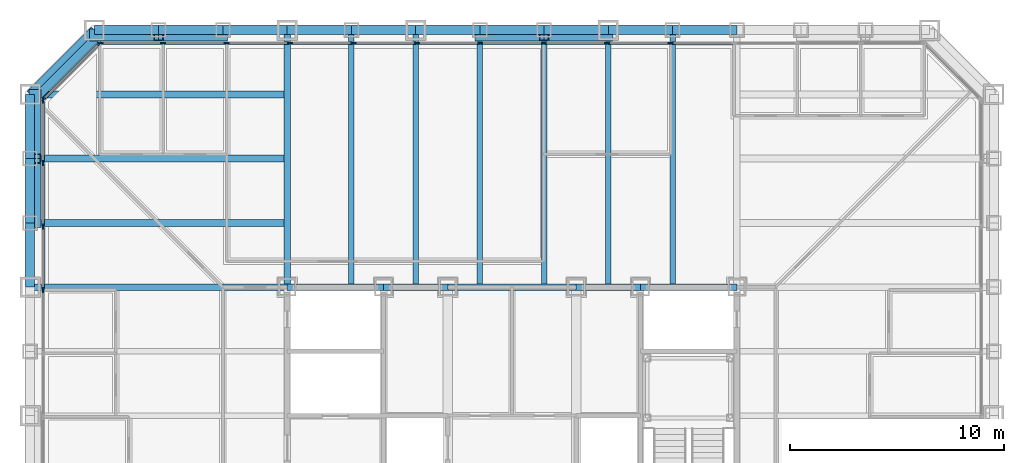
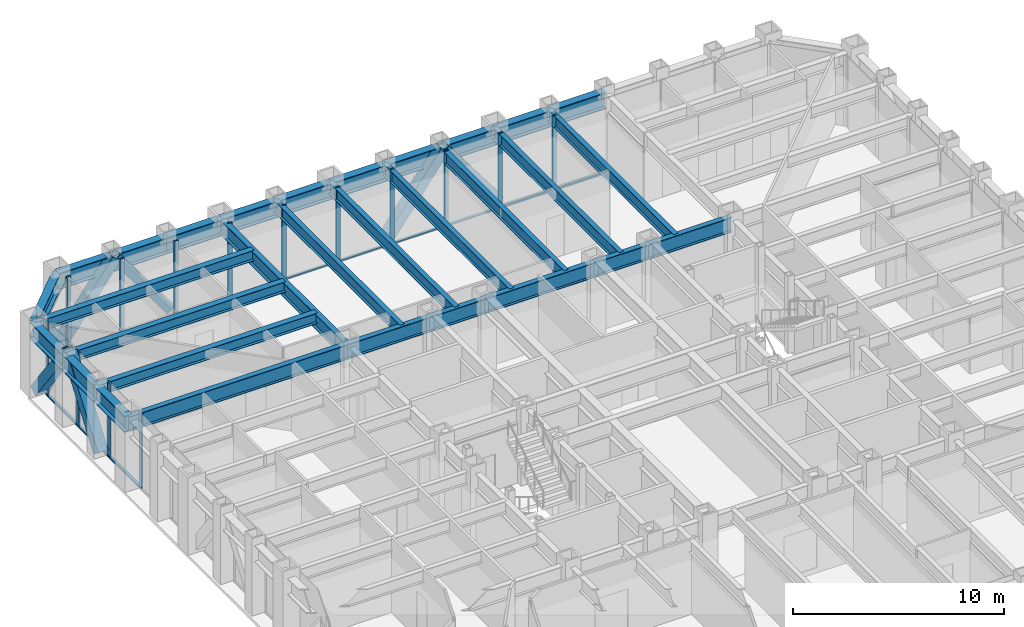
# One storey, part 5 of 17: 37 members, 30 beams, 3 elements without a shape of their own.
"""IFC4 building model written with IfcOpenShell, lengths in metres."""

import ifcopenshell
import ifcopenshell.guid

model = None  # the IFC model being written
_history = None  # IfcOwnerHistory: only IFC2X3 demands one
_inside = {}  # id of a spatial element -> (the spatial element, [elements in it])
_under = {}  # id of a project, library or spatial element -> (it, [spatial elements below it])
_declared = {}  # id of a project -> (the project, [libraries it declares])
_typed = {}  # id of a type object -> (the type object, [elements of that type])
_made_of = {}  # id of a material, layer set ... -> (it, [elements and type objects made of it])


def new_model(schema):
    """Start an empty IFC model of exactly this schema.

    Asked for "IFC4X3", IfcOpenShell would pick the latest addendum, in which some entities
    have other attributes; the version numbers below select the first issue.
    IFC2X3 requires an IfcOwnerHistory on every rooted entity: one is made here for all.
    """
    global model, _history
    if schema == "IFC4X3":
        model = ifcopenshell.file(schema_version=(4, 3, 0, 0))
    else:
        model = ifcopenshell.file(schema=schema)
    _inside.clear()
    _under.clear()
    _declared.clear()
    _typed.clear()
    _made_of.clear()
    _history = None
    if model.schema == "IFC2X3":
        org = make("IfcOrganization", Name="unknown")
        user = make(
            "IfcPersonAndOrganization",
            ThePerson=make("IfcPerson", FamilyName="unknown"),
            TheOrganization=org,
        )
        app = make(
            "IfcApplication",
            ApplicationDeveloper=org,
            Version="unknown",
            ApplicationFullName="unknown",
            ApplicationIdentifier="unknown",
        )
        _history = make(
            "IfcOwnerHistory",
            OwningUser=user,
            OwningApplication=app,
            ChangeAction="ADDED",
            CreationDate=0,
        )
    return model


def make(cls, **values):
    """One entity of the class cls with the attributes given. An attribute that is None is left unset."""
    return model.create_entity(
        cls, **{name: value for name, value in values.items() if value is not None}
    )


def rooted(cls, **values):
    """An entity with a GlobalId (a new one), such as an element, a storey or a relation."""
    return make(cls, GlobalId=ifcopenshell.guid.new(), OwnerHistory=_history, **values)


def si_unit(unit_type, name, prefix=None):
    """IfcSIUnit, for example si_unit("LENGTHUNIT", "METRE", prefix="MILLI")."""
    return make("IfcSIUnit", UnitType=unit_type, Prefix=prefix, Name=name)


def assignment(units):
    """IfcUnitAssignment: the units of a project."""
    return None if units is None else make("IfcUnitAssignment", Units=units)


def point(xyz):
    """IfcCartesianPoint."""
    return None if xyz is None else make("IfcCartesianPoint", Coordinates=xyz)


def direction(xyz):
    """IfcDirection."""
    return None if xyz is None else make("IfcDirection", DirectionRatios=xyz)


def frame(location, z_axis=None, x_axis=None):
    """IfcAxis2Placement3D, a coordinate frame: its origin and axes. An axis left out is left unset."""
    return make(
        "IfcAxis2Placement3D",
        Location=point(location),
        Axis=direction(z_axis),
        RefDirection=direction(x_axis),
    )


def frame_2d(location, x_axis=None):
    """IfcAxis2Placement2D, a coordinate frame in the plane: its origin and x axis."""
    return make(
        "IfcAxis2Placement2D", Location=point(location), RefDirection=direction(x_axis)
    )


def origin():
    """The frame at (0, 0, 0) with its axes left unset."""
    return frame((0.0, 0.0, 0.0))


def origin_2d():
    """The frame at (0, 0) in the plane with its x axis left unset."""
    return frame_2d((0.0, 0.0))


def place(relative_to, where):
    """IfcLocalPlacement: puts the frame where relative to a parent placement (None: the world)."""
    return make(
        "IfcLocalPlacement", PlacementRelTo=relative_to, RelativePlacement=where
    )


def context(
    kind, dimensions, precision=None, world=None, true_north=None, identifier=None
):
    """IfcGeometricRepresentationContext, for example the 3D "Model" context."""
    return make(
        "IfcGeometricRepresentationContext",
        ContextIdentifier=identifier,
        ContextType=kind,
        CoordinateSpaceDimension=dimensions,
        Precision=precision,
        WorldCoordinateSystem=world,
        TrueNorth=true_north,
    )


def subcontext(parent, identifier, kind, view, scale=None):
    """IfcGeometricRepresentationSubContext, for example "Body" below "Model"."""
    return make(
        "IfcGeometricRepresentationSubContext",
        ContextIdentifier=identifier,
        ContextType=kind,
        ParentContext=parent,
        TargetScale=scale,
        TargetView=view,
    )


def project(units=None, contexts=None):
    """IfcProject with its units and contexts."""
    return rooted(
        "IfcProject",
        Name="project",
        RepresentationContexts=contexts,
        UnitsInContext=assignment(units),
    )


def spatial(cls, under=None, at=None, **own):
    """A site, building, storey or space (cls), placed at a placement, below another one or the project."""
    s = rooted(cls, ObjectPlacement=at, **own)
    if under is not None:
        _under.setdefault(under.id(), (under, []))[1].append(s)
    return s


def profile(cls, at=None, kind="AREA", **sizes):
    """A parametric profile (cls). Its sizes go by their IFC names, for example OverallWidth=200.0."""
    return make(cls, ProfileType=kind, Position=at, **sizes)


def rectangle(**sizes):
    """IfcRectangleProfileDef."""
    return profile("IfcRectangleProfileDef", **sizes)


def hollow_rectangle(**sizes):
    """IfcRectangleHollowProfileDef."""
    return profile("IfcRectangleHollowProfileDef", **sizes)


def i_section(**sizes):
    """IfcIShapeProfileDef."""
    return profile("IfcIShapeProfileDef", **sizes)


def extrude(swept, where, along, depth):
    """IfcExtrudedAreaSolid: the profile swept, set in the frame where, extruded along a direction by depth."""
    return make(
        "IfcExtrudedAreaSolid",
        SweptArea=swept,
        Position=where,
        ExtrudedDirection=direction(along),
        Depth=depth,
    )


def shape(context_of_items, identifier, shape_type, items):
    """IfcShapeRepresentation: the items that make up one representation, for example the "Body"."""
    return make(
        "IfcShapeRepresentation",
        ContextOfItems=context_of_items,
        RepresentationIdentifier=identifier,
        RepresentationType=shape_type,
        Items=items,
    )


def material(Name=None, Category=None):
    """IfcMaterial."""
    return make("IfcMaterial", Name=Name, Category=Category)


def layer(
    of_material, thickness, ventilated=None, Name=None, Category=None, Priority=None
):
    """IfcMaterialLayer: one layer of a wall or slab, of a material (None: an air gap)."""
    return make(
        "IfcMaterialLayer",
        Material=of_material,
        LayerThickness=thickness,
        IsVentilated=ventilated,
        Name=Name,
        Category=Category,
        Priority=Priority,
    )


def layer_set(layers, Name=None):
    """IfcMaterialLayerSet."""
    return make("IfcMaterialLayerSet", MaterialLayers=layers, LayerSetName=Name)


def material_profile(
    of_material, cross_section, Name=None, Category=None, Priority=None
):
    """IfcMaterialProfile: a cross section and its material."""
    return make(
        "IfcMaterialProfile",
        Name=Name,
        Material=of_material,
        Profile=cross_section,
        Priority=Priority,
        Category=Category,
    )


def profile_set(profiles, Name=None, composite=None):
    """IfcMaterialProfileSet."""
    return make(
        "IfcMaterialProfileSet",
        Name=Name,
        MaterialProfiles=profiles,
        CompositeProfile=composite,
    )


def made_of(thing, what):
    """Note that an element or type object is made of a material, layer set ...; save() writes the relation."""
    if what is not None:
        _made_of.setdefault(what.id(), (what, []))[1].append(thing)
    return thing


def type_object(cls, material=None, **own):
    """A type object (cls), such as IfcWallType, which elements share."""
    return made_of(rooted(cls, **own), material)


def element(
    cls,
    number,
    at=None,
    inside=None,
    cuts=None,
    type_object=None,
    material=None,
    context=None,
    identifier="Body",
    shape_type=None,
    held_by="IfcProductDefinitionShape",
    body=None,
    shapes=None,
    **own,
):
    """One element of the class cls, such as IfcWall. Its Tag is "e" and its number.

    at: its placement. inside: the storey or other place that contains it. cuts: it is an
    opening in that element (IfcRelVoidsElement). A single representation is given by context,
    identifier, shape_type and body (its items); several are given by shapes. held_by: the class
    of the entity that holds the representations. save() writes the other relations.
    """
    e = rooted(cls, Tag="e%d" % number, ObjectPlacement=at, **own)
    if body is not None:
        shapes = [shape(context, identifier, shape_type, body)]
    if shapes is not None:
        e.Representation = make(held_by, Representations=shapes)
    if inside is not None:
        _inside.setdefault(inside.id(), (inside, []))[1].append(e)
    if cuts is not None:
        rooted(
            "IfcRelVoidsElement", RelatingBuildingElement=cuts, RelatedOpeningElement=e
        )
    if type_object is not None:
        _typed.setdefault(type_object.id(), (type_object, []))[1].append(e)
    return made_of(e, material)


def aggregate(whole, parts):
    """IfcRelAggregates: a whole, such as a stair, and the parts it consists of."""
    return rooted("IfcRelAggregates", RelatingObject=whole, RelatedObjects=parts)


def save(model, path):
    """Write the relations noted so far, then the file.

    IfcRelAggregates (storeys below a building ...), IfcRelContainedInSpatialStructure (elements
    in a storey), IfcRelDefinesByType, IfcRelAssociatesMaterial and IfcRelDeclares: one each for
    every whole, place, type object, material and project.
    """
    for whole, parts in _under.values():
        aggregate(whole, parts)
    for where, things in _inside.values():
        rooted(
            "IfcRelContainedInSpatialStructure",
            RelatedElements=things,
            RelatingStructure=where,
        )
    for kind, things in _typed.values():
        rooted("IfcRelDefinesByType", RelatedObjects=things, RelatingType=kind)
    for what, things in _made_of.values():
        rooted("IfcRelAssociatesMaterial", RelatedObjects=things, RelatingMaterial=what)
    for by, libraries in _declared.values():
        rooted("IfcRelDeclares", RelatingContext=by, RelatedDefinitions=libraries)
    model.write(path)


model = new_model("IFC4")

# Units and contexts
model_context = context("Model", 3, precision=1e-05, world=origin(), true_north=direction((0.0, 1.0)))
body_context = subcontext(model_context, "Body", "Model", "MODEL_VIEW")
ifc_project = project(units=[si_unit("LENGTHUNIT", "METRE"), si_unit("AREAUNIT", "SQUARE_METRE"), si_unit("VOLUMEUNIT", "CUBIC_METRE"), si_unit("PLANEANGLEUNIT", "RADIAN"), si_unit("MASSUNIT", "GRAM", prefix="KILO")], contexts=[model_context])

# Site, building, storey
site_placement = place(None, origin())
site = spatial("IfcSite", under=ifc_project, at=site_placement, CompositionType="ELEMENT")
building_placement = place(site_placement, origin())
building = spatial("IfcBuilding", under=site, at=building_placement, Name="Chuquiago Exchange Tower", CompositionType="ELEMENT")
storey_placement = place(building_placement, frame((0.0, 0.0, 69.300048828125)))
storey = spatial("IfcBuildingStorey", under=building, at=storey_placement, Name="L14", CompositionType="ELEMENT", Elevation=69.300048828125)

# Beams
ifc_material_1 = material(Name="Steel ASTM A992", Category="steel")
ifc_material_profile_1 = material_profile(ifc_material_1, i_section(OverallWidth=0.2919921875, OverallDepth=0.8583984375, WebThickness=0.01708984375, FlangeThickness=0.031005859375, at=origin_2d()), Name="W33X169")
ifc_profile_set_1 = profile_set([ifc_material_profile_1], Name="Steel ASTM A992")
beam_type_1 = type_object("IfcBeamType", Name="B3 W33X169", PredefinedType="BEAM", material=ifc_profile_set_1)
beam_1_placement = place(storey_placement, frame((12.0, 33.0, 3.610595703125), z_axis=(1.0, 0.0, 0.0), x_axis=(0.0, 1.0, 0.0)))
element("IfcBeam", 1, at=beam_1_placement, inside=storey, type_object=beam_type_1, Name="CB-L15-12_33-16.5_33", PredefinedType="BEAM", context=body_context, shape_type="SweptSolid", body=[
    extrude(i_section(OverallWidth=0.2919921875, OverallDepth=0.8583984375, WebThickness=0.01708984375, FlangeThickness=0.031005859375, at=origin_2d()), origin(), (0.0, 0.0, 1.0), 4.5),
])
beam_2_placement = place(storey_placement, frame((16.5, 33.0, 3.610595703125), z_axis=(1.0, 0.0, 0.0), x_axis=(0.0, 1.0, 0.0)))
element("IfcBeam", 2, at=beam_2_placement, inside=storey, type_object=beam_type_1, Name="CB-L15-16.5_33-19.5_33", PredefinedType="BEAM", context=body_context, shape_type="SweptSolid", body=[
    extrude(i_section(OverallWidth=0.2919921875, OverallDepth=0.8583984375, WebThickness=0.01708984375, FlangeThickness=0.031005859375, at=origin_2d()), origin(), (0.0, 0.0, 1.0), 3.0),
])
beam_3_placement = place(storey_placement, frame((19.5, 33.0, 3.610595703125), z_axis=(1.0, 0.0, 0.0), x_axis=(0.0, 1.0, 0.0)))
element("IfcBeam", 3, at=beam_3_placement, inside=storey, type_object=beam_type_1, Name="CB-L15-19.5_33-25.5_33", PredefinedType="BEAM", context=body_context, shape_type="SweptSolid", body=[
    extrude(i_section(OverallWidth=0.2919921875, OverallDepth=0.8583984375, WebThickness=0.01708984375, FlangeThickness=0.031005859375, at=origin_2d()), origin(), (0.0, 0.0, 1.0), 6.0),
])
beam_4_placement = place(storey_placement, frame((25.5, 33.0, 3.610595703125), z_axis=(1.0, 0.0, 0.0), x_axis=(0.0, 1.0, 0.0)))
element("IfcBeam", 4, at=beam_4_placement, inside=storey, type_object=beam_type_1, Name="CB-L15-25.5_33-28.5_33", PredefinedType="BEAM", context=body_context, shape_type="SweptSolid", body=[
    extrude(i_section(OverallWidth=0.2919921875, OverallDepth=0.8583984375, WebThickness=0.01708984375, FlangeThickness=0.031005859375, at=origin_2d()), origin(), (0.0, 0.0, 1.0), 3.0),
])
beam_5_placement = place(storey_placement, frame((28.5, 33.0, 3.610595703125), z_axis=(1.0, 0.0, 0.0), x_axis=(0.0, 1.0, 0.0)))
element("IfcBeam", 5, at=beam_5_placement, inside=storey, type_object=beam_type_1, Name="CB-L15-28.5_33-33_33", PredefinedType="BEAM", context=body_context, shape_type="SweptSolid", body=[
    extrude(i_section(OverallWidth=0.2919921875, OverallDepth=0.8583984375, WebThickness=0.01708984375, FlangeThickness=0.031005859375, at=origin_2d()), origin(), (0.0, 0.0, 1.0), 4.5),
])
ifc_material_2 = material(Name="Steel ASTM A992", Category="steel")
ifc_material_profile_2 = material_profile(ifc_material_2, i_section(OverallWidth=0.256591796875, OverallDepth=0.693359375, WebThickness=0.014404296875, FlangeThickness=0.023681640625, at=origin_2d()), Name="W27X114")
ifc_profile_set_2 = profile_set([ifc_material_profile_2], Name="Steel ASTM A992")
beam_type_2 = type_object("IfcBeamType", Name="B4 W27X114", PredefinedType="BEAM", material=ifc_profile_set_2)
for number, where, z_axis, x_axis, name in (
    (6, (15.0, 33.0, 3.693359375), (0.0, 1.0, 0.0), (-1.0, 0.0, 0.0), "FB-L15-infill-15_33-15_45-0"),
    (7, (18.0, 33.0, 3.693359375), (0.0, 1.0, 0.0), (-1.0, 0.0, 0.0), "FB-L15-infill-18_33-18_45-0"),
    (8, (21.0, 33.0, 3.693359375), (0.0, 1.0, 0.0), (-1.0, 0.0, 0.0), "FB-L15-infill-21_33-21_45-0"),
    (9, (24.0, 33.0, 3.693359375), (0.0, 1.0, 0.0), (-1.0, 0.0, 0.0), "FB-L15-infill-24_33-24_45-0"),
    (10, (27.0, 33.0, 3.693359375), (0.0, 1.0, 0.0), (-1.0, 0.0, 0.0), "FB-L15-infill-27_33-27_45-0"),
    (11, (30.0, 33.0, 3.693359375), (0.0, 1.0, 0.0), (-1.0, 0.0, 0.0), "FB-L15-infill-30_33-30_45-0"),
):
    element("IfcBeam", number, at=place(storey_placement, frame(where, z_axis=z_axis, x_axis=x_axis)), inside=storey, type_object=beam_type_2, Name=name, PredefinedType="BEAM", context=body_context, shape_type="SweptSolid", body=[
        extrude(i_section(OverallWidth=0.256591796875, OverallDepth=0.693359375, WebThickness=0.014404296875, FlangeThickness=0.023681640625, at=origin_2d()), origin(), (0.0, 0.0, 1.0), 12.0),
    ])
ifc_material_3 = material(Name="Steel ASTM A992", Category="steel")
ifc_material_profile_3 = material_profile(ifc_material_3, i_section(OverallWidth=0.3251953125, OverallDepth=0.6171875, WebThickness=0.013916015625, FlangeThickness=0.021484375, at=origin_2d()), Name="W24X117")
ifc_profile_set_3 = profile_set([ifc_material_profile_3], Name="Steel ASTM A992")
beam_type_3 = type_object("IfcBeamType", Name="B5 W24X117", PredefinedType="BEAM", material=ifc_profile_set_3)
for number, where, z_axis, x_axis, name in (
    (12, (12.0, 36.0, 3.7314453125), (-1.0, 0.0, 0.0), (0.0, -1.0, 0.0), "FB-L15-corner-12_36--0_36-0"),
    (13, (12.0, 39.0, 3.7314453125), (-1.0, 0.0, 0.0), (0.0, -1.0, 0.0), "FB-L15-corner-12_39--0_39-0"),
    (14, (12.0, 42.0, 3.7314453125), (-1.0, 0.0, 0.0), (0.0, -1.0, 0.0), "FB-L15-corner-12_42--0_42-0"),
):
    element("IfcBeam", number, at=place(storey_placement, frame(where, z_axis=z_axis, x_axis=x_axis)), inside=storey, type_object=beam_type_3, Name=name, PredefinedType="BEAM", context=body_context, shape_type="SweptSolid", body=[
        extrude(i_section(OverallWidth=0.3251953125, OverallDepth=0.6171875, WebThickness=0.013916015625, FlangeThickness=0.021484375, at=origin_2d()), origin(), (0.0, 0.0, 1.0), 12.0),
    ])

# Curtain wall, members
ifc_material_4 = material(Name="Aluminium curtain wall system", Category="aluminium")
ifc_layer_1 = layer(ifc_material_4, 0.25)
ifc_layer_set_1 = layer_set([ifc_layer_1], Name="CW1 trading floor curtain wall")
curtain_wall_type_1 = type_object("IfcCurtainWallType", Name="CW1 trading floor curtain wall", PredefinedType="NOTDEFINED", material=ifc_layer_set_1)
curtain_wall_1_placement = place(storey_placement, origin())
curtain_wall_1 = element("IfcCurtainWall", 15, at=curtain_wall_1_placement, inside=storey, type_object=curtain_wall_type_1, Name="CW1 curtain wall L14", PredefinedType="NOTDEFINED")
ifc_material_5 = material(Name="Aluminium mullion, pale anodised", Category="aluminium")
ifc_material_profile_4 = material_profile(ifc_material_5, rectangle(XDim=0.074951171875, YDim=0.25, at=origin_2d()), Name="AL 75x250")
ifc_profile_set_4 = profile_set([ifc_material_profile_4], Name="Aluminium mullion, pale anodised")
member_type_1 = type_object("IfcMemberType", Name="CW1-M mullion 75x250", PredefinedType="MULLION", material=ifc_profile_set_4)
member_1_placement = place(storey_placement, frame((29.904541015625, 44.39990234375, -0.300048828125), z_axis=(0.0, 0.0, 1.0), x_axis=(0.0, -1.0, 0.0)))
member_1 = element("IfcMember", 16, at=member_1_placement, type_object=member_type_1, Name="CW1 mullion 5", PredefinedType="MULLION", context=body_context, shape_type="SweptSolid", body=[
    extrude(rectangle(XDim=0.074951171875, YDim=0.25, at=origin_2d()), origin(), (0.0, 0.0, 1.0), 4.340087890625),
])
member_2_placement = place(storey_placement, frame((26.942626953125, 44.39990234375, -0.300048828125), z_axis=(0.0, 0.0, 1.0), x_axis=(0.0, -1.0, 0.0)))
member_2 = element("IfcMember", 17, at=member_2_placement, type_object=member_type_1, Name="CW1 mullion 6", PredefinedType="MULLION", context=body_context, shape_type="SweptSolid", body=[
    extrude(rectangle(XDim=0.074951171875, YDim=0.25, at=origin_2d()), origin(), (0.0, 0.0, 1.0), 4.340087890625),
])
member_3_placement = place(storey_placement, frame((23.98095703125, 44.39990234375, -0.300048828125), z_axis=(0.0, 0.0, 1.0), x_axis=(0.0, -1.0, 0.0)))
member_3 = element("IfcMember", 18, at=member_3_placement, type_object=member_type_1, Name="CW1 mullion 7", PredefinedType="MULLION", context=body_context, shape_type="SweptSolid", body=[
    extrude(rectangle(XDim=0.074951171875, YDim=0.25, at=origin_2d()), origin(), (0.0, 0.0, 1.0), 4.340087890625),
])
member_4_placement = place(storey_placement, frame((21.01904296875, 44.39990234375, -0.300048828125), z_axis=(0.0, 0.0, 1.0), x_axis=(0.0, -1.0, 0.0)))
member_4 = element("IfcMember", 19, at=member_4_placement, type_object=member_type_1, Name="CW1 mullion 8", PredefinedType="MULLION", context=body_context, shape_type="SweptSolid", body=[
    extrude(rectangle(XDim=0.074951171875, YDim=0.25, at=origin_2d()), origin(), (0.0, 0.0, 1.0), 4.340087890625),
])
member_5_placement = place(storey_placement, frame((18.057373046875, 44.39990234375, -0.300048828125), z_axis=(0.0, 0.0, 1.0), x_axis=(0.0, -1.0, 0.0)))
member_5 = element("IfcMember", 20, at=member_5_placement, type_object=member_type_1, Name="CW1 mullion 9", PredefinedType="MULLION", context=body_context, shape_type="SweptSolid", body=[
    extrude(rectangle(XDim=0.074951171875, YDim=0.25, at=origin_2d()), origin(), (0.0, 0.0, 1.0), 4.340087890625),
])
member_6_placement = place(storey_placement, frame((15.095458984375, 44.39990234375, -0.300048828125), z_axis=(0.0, 0.0, 1.0), x_axis=(0.0, -1.0, 0.0)))
member_6 = element("IfcMember", 21, at=member_6_placement, type_object=member_type_1, Name="CW1 mullion 10", PredefinedType="MULLION", context=body_context, shape_type="SweptSolid", body=[
    extrude(rectangle(XDim=0.074951171875, YDim=0.25, at=origin_2d()), origin(), (0.0, 0.0, 1.0), 4.340087890625),
])
member_7_placement = place(storey_placement, frame((12.1337890625, 44.39990234375, -0.300048828125), z_axis=(0.0, 0.0, 1.0), x_axis=(0.0, -1.0, 0.0)))
member_7 = element("IfcMember", 22, at=member_7_placement, type_object=member_type_1, Name="CW1 mullion 11", PredefinedType="MULLION", context=body_context, shape_type="SweptSolid", body=[
    extrude(rectangle(XDim=0.074951171875, YDim=0.25, at=origin_2d()), origin(), (0.0, 0.0, 1.0), 4.340087890625),
])
member_8_placement = place(storey_placement, frame((9.172119140625, 44.39990234375, -0.300048828125), z_axis=(0.0, 0.0, 1.0), x_axis=(0.0, -1.0, 0.0)))
member_8 = element("IfcMember", 23, at=member_8_placement, type_object=member_type_1, Name="CW1 mullion 12", PredefinedType="MULLION", context=body_context, shape_type="SweptSolid", body=[
    extrude(rectangle(XDim=0.074951171875, YDim=0.25, at=origin_2d()), origin(), (0.0, 0.0, 1.0), 4.340087890625),
])
member_9_placement = place(storey_placement, frame((6.210205078125, 44.39990234375, -0.300048828125), z_axis=(0.0, 0.0, 1.0), x_axis=(0.0, -1.0, 0.0)))
member_9 = element("IfcMember", 24, at=member_9_placement, type_object=member_type_1, Name="CW1 mullion 13", PredefinedType="MULLION", context=body_context, shape_type="SweptSolid", body=[
    extrude(rectangle(XDim=0.074951171875, YDim=0.25, at=origin_2d()), origin(), (0.0, 0.0, 1.0), 4.340087890625),
])
member_10_placement = place(storey_placement, frame((3.285888671875, 44.39990234375, -0.300048828125), z_axis=(0.0, 0.0, 1.0), x_axis=(0.0, -1.0, 0.0)))
member_10 = element("IfcMember", 25, at=member_10_placement, type_object=member_type_1, Name="CW1 mullion 14", PredefinedType="MULLION", context=body_context, shape_type="SweptSolid", body=[
    extrude(rectangle(XDim=0.074951171875, YDim=0.25, at=origin_2d()), origin(), (0.0, 0.0, 1.0), 4.340087890625),
])

curtain_wall_2_placement = place(storey_placement, origin())
curtain_wall_2 = element("IfcCurtainWall", 26, at=curtain_wall_2_placement, inside=storey, type_object=curtain_wall_type_1, Name="CW1 curtain wall L14", PredefinedType="NOTDEFINED")
member_11_placement = place(storey_placement, frame((0.60009765625, 41.714111328125, -0.300048828125), z_axis=(0.0, 0.0, 1.0), x_axis=(1.0, 0.0, 0.0)))
member_11 = element("IfcMember", 27, at=member_11_placement, type_object=member_type_1, Name="CW1 mullion 1", PredefinedType="MULLION", context=body_context, shape_type="SweptSolid", body=[
    extrude(rectangle(XDim=0.074951171875, YDim=0.25, at=origin_2d()), origin(), (0.0, 0.0, 1.0), 4.340087890625),
])
member_12_placement = place(storey_placement, frame((0.60009765625, 38.789794921875, -0.300048828125), z_axis=(0.0, 0.0, 1.0), x_axis=(1.0, 0.0, 0.0)))
member_12 = element("IfcMember", 28, at=member_12_placement, type_object=member_type_1, Name="CW1 mullion 2", PredefinedType="MULLION", context=body_context, shape_type="SweptSolid", body=[
    extrude(rectangle(XDim=0.074951171875, YDim=0.25, at=origin_2d()), origin(), (0.0, 0.0, 1.0), 4.340087890625),
])
member_13_placement = place(storey_placement, frame((0.60009765625, 35.827880859375, -0.300048828125), z_axis=(0.0, 0.0, 1.0), x_axis=(1.0, 0.0, 0.0)))
member_13 = element("IfcMember", 29, at=member_13_placement, type_object=member_type_1, Name="CW1 mullion 3", PredefinedType="MULLION", context=body_context, shape_type="SweptSolid", body=[
    extrude(rectangle(XDim=0.074951171875, YDim=0.25, at=origin_2d()), origin(), (0.0, 0.0, 1.0), 4.340087890625),
])
member_14_placement = place(storey_placement, frame((0.60009765625, 32.8662109375, -0.300048828125), z_axis=(0.0, 0.0, 1.0), x_axis=(1.0, 0.0, 0.0)))
member_14 = element("IfcMember", 30, at=member_14_placement, type_object=member_type_1, Name="CW1 mullion 4", PredefinedType="MULLION", context=body_context, shape_type="SweptSolid", body=[
    extrude(rectangle(XDim=0.074951171875, YDim=0.25, at=origin_2d()), origin(), (0.0, 0.0, 1.0), 4.340087890625),
])

# Member
ifc_material_6 = material(Name="Aluminium transom, pale anodised", Category="aluminium")
ifc_material_profile_5 = material_profile(ifc_material_6, rectangle(XDim=0.14990234375, YDim=0.074951171875, at=origin_2d()), Name="AL 150x75")
ifc_profile_set_5 = profile_set([ifc_material_profile_5], Name="Aluminium transom, pale anodised")
member_type_2 = type_object("IfcMemberType", Name="CW1-T transom 75x150", PredefinedType="MULLION", material=ifc_profile_set_5)
member_15_placement = place(storey_placement, frame((32.82861328125, 44.39990234375, -0.262451171875), z_axis=(-1.0, 0.0, 0.0), x_axis=(0.0, -1.0, 0.0)))
member_15 = element("IfcMember", 31, at=member_15_placement, type_object=member_type_2, Name="CW1 transom 4.1", PredefinedType="MULLION", context=body_context, shape_type="SweptSolid", body=[
    extrude(rectangle(XDim=0.14990234375, YDim=0.074951171875, at=origin_2d()), origin(), (0.0, 0.0, 1.0), 2.88671875),
])

member_16_placement = place(storey_placement, frame((29.866943359375, 44.39990234375, -0.262451171875), z_axis=(-1.0, 0.0, 0.0), x_axis=(0.0, -1.0, 0.0)))
member_16 = element("IfcMember", 32, at=member_16_placement, type_object=member_type_2, Name="CW1 transom 5.1", PredefinedType="MULLION", context=body_context, shape_type="SweptSolid", body=[
    extrude(rectangle(XDim=0.14990234375, YDim=0.074951171875, at=origin_2d()), origin(), (0.0, 0.0, 1.0), 2.88671875),
])

member_17_placement = place(storey_placement, frame((26.9052734375, 44.39990234375, -0.262451171875), z_axis=(-1.0, 0.0, 0.0), x_axis=(0.0, -1.0, 0.0)))
member_17 = element("IfcMember", 33, at=member_17_placement, type_object=member_type_2, Name="CW1 transom 6.1", PredefinedType="MULLION", context=body_context, shape_type="SweptSolid", body=[
    extrude(rectangle(XDim=0.14990234375, YDim=0.074951171875, at=origin_2d()), origin(), (0.0, 0.0, 1.0), 2.886962890625),
])

member_18_placement = place(storey_placement, frame((23.943359375, 44.39990234375, -0.262451171875), z_axis=(-1.0, 0.0, 0.0), x_axis=(0.0, -1.0, 0.0)))
member_18 = element("IfcMember", 34, at=member_18_placement, type_object=member_type_2, Name="CW1 transom 7.1", PredefinedType="MULLION", context=body_context, shape_type="SweptSolid", body=[
    extrude(rectangle(XDim=0.14990234375, YDim=0.074951171875, at=origin_2d()), origin(), (0.0, 0.0, 1.0), 2.88671875),
])

member_19_placement = place(storey_placement, frame((20.981689453125, 44.39990234375, -0.262451171875), z_axis=(-1.0, 0.0, 0.0), x_axis=(0.0, -1.0, 0.0)))
member_19 = element("IfcMember", 35, at=member_19_placement, type_object=member_type_2, Name="CW1 transom 8.1", PredefinedType="MULLION", context=body_context, shape_type="SweptSolid", body=[
    extrude(rectangle(XDim=0.14990234375, YDim=0.074951171875, at=origin_2d()), origin(), (0.0, 0.0, 1.0), 2.886962890625),
])

member_20_placement = place(storey_placement, frame((18.019775390625, 44.39990234375, -0.262451171875), z_axis=(-1.0, 0.0, 0.0), x_axis=(0.0, -1.0, 0.0)))
member_20 = element("IfcMember", 36, at=member_20_placement, type_object=member_type_2, Name="CW1 transom 9.1", PredefinedType="MULLION", context=body_context, shape_type="SweptSolid", body=[
    extrude(rectangle(XDim=0.14990234375, YDim=0.074951171875, at=origin_2d()), origin(), (0.0, 0.0, 1.0), 2.88671875),
])

member_21_placement = place(storey_placement, frame((15.05810546875, 44.39990234375, -0.262451171875), z_axis=(-1.0, 0.0, 0.0), x_axis=(0.0, -1.0, 0.0)))
member_21 = element("IfcMember", 37, at=member_21_placement, type_object=member_type_2, Name="CW1 transom 10.1", PredefinedType="MULLION", context=body_context, shape_type="SweptSolid", body=[
    extrude(rectangle(XDim=0.14990234375, YDim=0.074951171875, at=origin_2d()), origin(), (0.0, 0.0, 1.0), 2.88671875),
])

member_22_placement = place(storey_placement, frame((12.09619140625, 44.39990234375, -0.262451171875), z_axis=(-1.0, 0.0, 0.0), x_axis=(0.0, -1.0, 0.0)))
member_22 = element("IfcMember", 38, at=member_22_placement, type_object=member_type_2, Name="CW1 transom 11.1", PredefinedType="MULLION", context=body_context, shape_type="SweptSolid", body=[
    extrude(rectangle(XDim=0.14990234375, YDim=0.074951171875, at=origin_2d()), origin(), (0.0, 0.0, 1.0), 2.88671875),
])

member_23_placement = place(storey_placement, frame((9.134521484375, 44.39990234375, -0.262451171875), z_axis=(-1.0, 0.0, 0.0), x_axis=(0.0, -1.0, 0.0)))
member_23 = element("IfcMember", 39, at=member_23_placement, type_object=member_type_2, Name="CW1 transom 12.1", PredefinedType="MULLION", context=body_context, shape_type="SweptSolid", body=[
    extrude(rectangle(XDim=0.14990234375, YDim=0.074951171875, at=origin_2d()), origin(), (0.0, 0.0, 1.0), 2.88671875),
])

member_24_placement = place(storey_placement, frame((6.1728515625, 44.39990234375, -0.262451171875), z_axis=(-1.0, 0.0, 0.0), x_axis=(0.0, -1.0, 0.0)))
member_24 = element("IfcMember", 40, at=member_24_placement, type_object=member_type_2, Name="CW1 transom 13.1", PredefinedType="MULLION", context=body_context, shape_type="SweptSolid", body=[
    extrude(rectangle(XDim=0.14990234375, YDim=0.074951171875, at=origin_2d()), origin(), (0.0, 0.0, 1.0), 2.849365234375),
])

aggregate(curtain_wall_1, [member_1, member_2, member_3, member_4, member_5, member_6, member_7, member_8, member_9, member_10, member_15, member_16, member_17, member_18, member_19, member_20, member_21, member_22, member_23, member_24])

member_25_placement = place(storey_placement, frame((0.60009765625, 41.676513671875, -0.262451171875), z_axis=(0.0, -1.0, 0.0), x_axis=(1.0, 0.0, 0.0)))
member_25 = element("IfcMember", 41, at=member_25_placement, type_object=member_type_2, Name="CW1 transom 1.1", PredefinedType="MULLION", context=body_context, shape_type="SweptSolid", body=[
    extrude(rectangle(XDim=0.14990234375, YDim=0.074951171875, at=origin_2d()), origin(), (0.0, 0.0, 1.0), 2.849365234375),
])

member_26_placement = place(storey_placement, frame((0.60009765625, 38.752197265625, -0.262451171875), z_axis=(0.0, -1.0, 0.0), x_axis=(1.0, 0.0, 0.0)))
member_26 = element("IfcMember", 42, at=member_26_placement, type_object=member_type_2, Name="CW1 transom 2.1", PredefinedType="MULLION", context=body_context, shape_type="SweptSolid", body=[
    extrude(rectangle(XDim=0.14990234375, YDim=0.074951171875, at=origin_2d()), origin(), (0.0, 0.0, 1.0), 2.88671875),
])

member_27_placement = place(storey_placement, frame((0.60009765625, 35.79052734375, -0.262451171875), z_axis=(0.0, -1.0, 0.0), x_axis=(1.0, 0.0, 0.0)))
member_27 = element("IfcMember", 43, at=member_27_placement, type_object=member_type_2, Name="CW1 transom 3.1", PredefinedType="MULLION", context=body_context, shape_type="SweptSolid", body=[
    extrude(rectangle(XDim=0.14990234375, YDim=0.074951171875, at=origin_2d()), origin(), (0.0, 0.0, 1.0), 2.88671875),
])

aggregate(curtain_wall_2, [member_11, member_12, member_13, member_14, member_25, member_26, member_27])

# Curtain wall, members
ifc_material_7 = material(Name="Aluminium curtain wall system", Category="aluminium")
ifc_layer_2 = layer(ifc_material_7, 0.199951171875)
ifc_layer_set_2 = layer_set([ifc_layer_2], Name="CW3 facet curtain wall")
curtain_wall_type_2 = type_object("IfcCurtainWallType", Name="CW3 facet curtain wall", PredefinedType="NOTDEFINED", material=ifc_layer_set_2)
curtain_wall_3_placement = place(storey_placement, origin())
curtain_wall_3 = element("IfcCurtainWall", 44, at=curtain_wall_3_placement, inside=storey, type_object=curtain_wall_type_2, Name="CW3 curtain wall L14", PredefinedType="NOTDEFINED")
ifc_material_8 = material(Name="Aluminium mullion, pale anodised", Category="aluminium")
ifc_material_profile_6 = material_profile(ifc_material_8, rectangle(XDim=0.06494140625, YDim=0.199951171875, at=origin_2d()), Name="AL 65x200")
ifc_profile_set_6 = profile_set([ifc_material_profile_6], Name="Aluminium mullion, pale anodised")
member_type_3 = type_object("IfcMemberType", Name="CW3-M mullion 65x200", PredefinedType="MULLION", material=ifc_profile_set_6)
member_28_placement = place(storey_placement, frame((3.2255859375, 44.376953125, -0.300048828125), z_axis=(0.0, 0.0, 1.0), x_axis=(0.707106781187, -0.707106781187, 0.0)))
member_28 = element("IfcMember", 45, at=member_28_placement, type_object=member_type_3, Name="CW3 mullion 1", PredefinedType="MULLION", context=body_context, shape_type="SweptSolid", body=[
    extrude(rectangle(XDim=0.06494140625, YDim=0.199951171875, at=origin_2d()), origin(), (0.0, 0.0, 1.0), 4.340087890625),
])
member_29_placement = place(storey_placement, frame((0.623046875, 41.7744140625, -0.300048828125), z_axis=(0.0, 0.0, 1.0), x_axis=(0.707106781187, -0.707106781187, 0.0)))
member_29 = element("IfcMember", 46, at=member_29_placement, type_object=member_type_3, Name="CW3 mullion 2", PredefinedType="MULLION", context=body_context, shape_type="SweptSolid", body=[
    extrude(rectangle(XDim=0.06494140625, YDim=0.199951171875, at=origin_2d()), origin(), (0.0, 0.0, 1.0), 4.340087890625),
])
ifc_material_9 = material(Name="Aluminium transom, pale anodised", Category="aluminium")
ifc_material_profile_7 = material_profile(ifc_material_9, rectangle(XDim=0.139892578125, YDim=0.06494140625, at=origin_2d()), Name="AL 140x65")
ifc_profile_set_7 = profile_set([ifc_material_profile_7], Name="Aluminium transom, pale anodised")
member_type_4 = type_object("IfcMemberType", Name="CW3-T transom 65x140", PredefinedType="MULLION", material=ifc_profile_set_7)
member_30_placement = place(storey_placement, frame((3.20263671875, 44.35400390625, -0.267578125), z_axis=(-0.707106781187, -0.707106781187, 0.0), x_axis=(0.707106781187, -0.707106781187, 0.0)))
member_30 = element("IfcMember", 47, at=member_30_placement, type_object=member_type_4, Name="CW3 transom 1.1", PredefinedType="MULLION", context=body_context, shape_type="SweptSolid", body=[
    extrude(rectangle(XDim=0.139892578125, YDim=0.06494140625, at=origin_2d()), origin(), (0.0, 0.0, 1.0), 3.61572265625),
])
aggregate(curtain_wall_3, [member_28, member_29, member_30])

# Beams
ifc_material_10 = material(Name="Steel ASTM A992", Category="steel")
ifc_material_profile_8 = material_profile(ifc_material_10, i_section(OverallWidth=0.2919921875, OverallDepth=0.8583984375, WebThickness=0.01708984375, FlangeThickness=0.031005859375, at=origin_2d()), Name="W33X169")
ifc_profile_set_8 = profile_set([ifc_material_profile_8], Name="Steel ASTM A992")
beam_type_4 = type_object("IfcBeamType", Name="G2 W33X169", PredefinedType="BEAM", material=ifc_profile_set_8)
for number, where, z_axis, x_axis, name in (
    (48, (12.0, 33.0, 3.610595703125), (0.0, 1.0, 0.0), (-1.0, 0.0, 0.0), "FB-L15-girder-12_33-12_45-0"),
    (49, (12.0, 33.0, 3.610595703125), (-1.0, 0.0, 0.0), (0.0, -1.0, 0.0), "FB-L15-girder-12_33--0_33-0"),
):
    element("IfcBeam", number, at=place(storey_placement, frame(where, z_axis=z_axis, x_axis=x_axis)), inside=storey, type_object=beam_type_4, Name=name, PredefinedType="BEAM", context=body_context, shape_type="SweptSolid", body=[
        extrude(i_section(OverallWidth=0.2919921875, OverallDepth=0.8583984375, WebThickness=0.01708984375, FlangeThickness=0.031005859375, at=origin_2d()), origin(), (0.0, 0.0, 1.0), 12.0),
    ])

# Members
ifc_material_11 = material(Name="Steel ASTM A500 Grade C", Category="steel")
ifc_material_profile_9 = material_profile(ifc_material_11, hollow_rectangle(XDim=0.406494140625, YDim=0.406494140625, WallThickness=0.0146484375, at=origin_2d()), Name="HSS16X16X5/8")
ifc_profile_set_9 = profile_set([ifc_material_profile_9], Name="Steel ASTM A500 Grade C")
member_type_5 = type_object("IfcMemberType", Name="LB4 HSS16X16X5/8", PredefinedType="BRACE", material=ifc_profile_set_9)
member_31_placement = place(storey_placement, frame((3.21337890625, 44.78662109375, 0.0), z_axis=(-0.512077265487, -0.512077265487, 0.689604051861), x_axis=(0.707106781187, -0.707106781187, 0.0)))
element("IfcMember", 50, at=member_31_placement, inside=storey, type_object=member_type_5, Name="LB-L14-3_45-0_42", PredefinedType="BRACE", context=body_context, shape_type="SweptSolid", body=[
    extrude(hollow_rectangle(XDim=0.406494140625, YDim=0.406494140625, WallThickness=0.0146484375, at=origin_2d()), origin(), (0.0, 0.0, 1.0), 5.8583984375),
])
ifc_material_12 = material(Name="Steel ASTM A572 Grade 50", Category="steel")
ifc_material_profile_10 = material_profile(ifc_material_12, hollow_rectangle(XDim=0.550048828125, YDim=0.550048828125, WallThickness=0.044921875, at=origin_2d()), Name="BOX550X550X45")
ifc_profile_set_10 = profile_set([ifc_material_profile_10], Name="Steel ASTM A572 Grade 50")
member_type_6 = type_object("IfcMemberType", Name="MB1 BOX550X550X45", PredefinedType="BRACE", material=ifc_profile_set_10)
for number, where, z_axis, x_axis, name in (
    (51, (27.0, 44.77001953125, 0.0), (-0.596173923302, 0.0, 0.802855312728), (0.0, -1.0, 0.0), "Mega diagonal L14 N face"),
    (52, (21.0, 44.77001953125, 0.0), (0.596173923302, 0.0, 0.802855312728), (0.0, 1.0, 0.0), "Mega diagonal L14 N face"),
    (53, (9.0, 44.77001953125, 0.0), (-0.596173923302, 0.0, 0.802855312728), (0.0, -1.0, 0.0), "Mega diagonal L14 N face"),
    (54, (3.0, 44.77001953125, 0.0), (0.596173923302, 0.0, 0.802855312728), (0.0, 1.0, 0.0), "Mega diagonal L14 N face"),
    (55, (0.22998046875, 42.0, 0.0), (0.0, -0.596173923302, 0.802855312728), (1.0, 0.0, 0.0), "Mega diagonal L14 W face"),
    (56, (0.22998046875, 36.0, 0.0), (0.0, 0.596173923302, 0.802855312728), (-1.0, 0.0, 0.0), "Mega diagonal L14 W face"),
):
    element("IfcMember", number, at=place(storey_placement, frame(where, z_axis=z_axis, x_axis=x_axis)), inside=storey, type_object=member_type_6, Name=name, PredefinedType="BRACE", context=body_context, shape_type="SweptSolid", body=[
        extrude(hollow_rectangle(XDim=0.550048828125, YDim=0.550048828125, WallThickness=0.044921875, at=origin_2d()), origin(), (0.0, 0.0, 1.0), 5.031982421875),
    ])

# Beams
ifc_material_13 = material(Name="Steel ASTM A992", Category="steel")
ifc_material_profile_11 = material_profile(ifc_material_13, i_section(OverallWidth=0.424072265625, OverallDepth=0.947509765625, WebThickness=0.02392578125, FlangeThickness=0.042724609375, at=origin_2d()), Name="W36X302")
ifc_profile_set_11 = profile_set([ifc_material_profile_11], Name="Steel ASTM A992")
beam_type_5 = type_object("IfcBeamType", Name="SP1 W36X302", PredefinedType="SPANDREL", material=ifc_profile_set_11)
for number, where, z_axis, x_axis, name in (
    (57, (33.0, 45.0, 3.566162109375), (-1.0, 0.0, 0.0), (0.0, -1.0, 0.0), "SPB-L15-33_45-30_45"),
    (58, (30.0, 45.0, 3.566162109375), (-1.0, 0.0, 0.0), (0.0, -1.0, 0.0), "SPB-L15-30_45-27_45"),
    (59, (27.0, 45.0, 3.566162109375), (-1.0, 0.0, 0.0), (0.0, -1.0, 0.0), "SPB-L15-27_45-24_45"),
    (60, (24.0, 45.0, 3.566162109375), (-1.0, 0.0, 0.0), (0.0, -1.0, 0.0), "SPB-L15-24_45-21_45"),
    (61, (21.0, 45.0, 3.566162109375), (-1.0, 0.0, 0.0), (0.0, -1.0, 0.0), "SPB-L15-21_45-18_45"),
    (62, (18.0, 45.0, 3.566162109375), (-1.0, 0.0, 0.0), (0.0, -1.0, 0.0), "SPB-L15-18_45-15_45"),
    (63, (15.0, 45.0, 3.566162109375), (-1.0, 0.0, 0.0), (0.0, -1.0, 0.0), "SPB-L15-15_45-12_45"),
    (64, (12.0, 45.0, 3.566162109375), (-1.0, 0.0, 0.0), (0.0, -1.0, 0.0), "SPB-L15-12_45-9_45"),
    (65, (9.0, 45.0, 3.566162109375), (-1.0, 0.0, 0.0), (0.0, -1.0, 0.0), "SPB-L15-9_45-6_45"),
    (66, (6.0, 45.0, 3.566162109375), (-1.0, 0.0, 0.0), (0.0, -1.0, 0.0), "SPB-L15-6_45-3_45"),
):
    element("IfcBeam", number, at=place(storey_placement, frame(where, z_axis=z_axis, x_axis=x_axis)), inside=storey, type_object=beam_type_5, Name=name, PredefinedType="SPANDREL", context=body_context, shape_type="SweptSolid", body=[
        extrude(i_section(OverallWidth=0.424072265625, OverallDepth=0.947509765625, WebThickness=0.02392578125, FlangeThickness=0.042724609375, at=origin_2d()), origin(), (0.0, 0.0, 1.0), 3.0),
    ])
beam_6_placement = place(storey_placement, frame((3.0, 45.0, 3.566162109375), z_axis=(-0.707106781187, -0.707106781187, 0.0), x_axis=(0.707106781187, -0.707106781187, 0.0)))
element("IfcBeam", 67, at=beam_6_placement, inside=storey, type_object=beam_type_5, Name="SPB-L15-3_45-0_42", PredefinedType="SPANDREL", context=body_context, shape_type="SweptSolid", body=[
    extrude(i_section(OverallWidth=0.424072265625, OverallDepth=0.947509765625, WebThickness=0.02392578125, FlangeThickness=0.042724609375, at=origin_2d()), origin(), (0.0, 0.0, 1.0), 4.24267578125),
])
for number, where, z_axis, x_axis, name in (
    (68, (0.0, 42.0, 3.566162109375), (0.0, -1.0, 0.0), (1.0, 0.0, 0.0), "SPB-L15-0_42-0_39"),
    (69, (0.0, 39.0, 3.566162109375), (0.0, -1.0, 0.0), (1.0, 0.0, 0.0), "SPB-L15-0_39-0_36"),
    (70, (0.0, 36.0, 3.566162109375), (0.0, -1.0, 0.0), (1.0, 0.0, 0.0), "SPB-L15-0_36-0_33"),
):
    element("IfcBeam", number, at=place(storey_placement, frame(where, z_axis=z_axis, x_axis=x_axis)), inside=storey, type_object=beam_type_5, Name=name, PredefinedType="SPANDREL", context=body_context, shape_type="SweptSolid", body=[
        extrude(i_section(OverallWidth=0.424072265625, OverallDepth=0.947509765625, WebThickness=0.02392578125, FlangeThickness=0.042724609375, at=origin_2d()), origin(), (0.0, 0.0, 1.0), 3.0),
    ])

save(model, "model.ifc")
